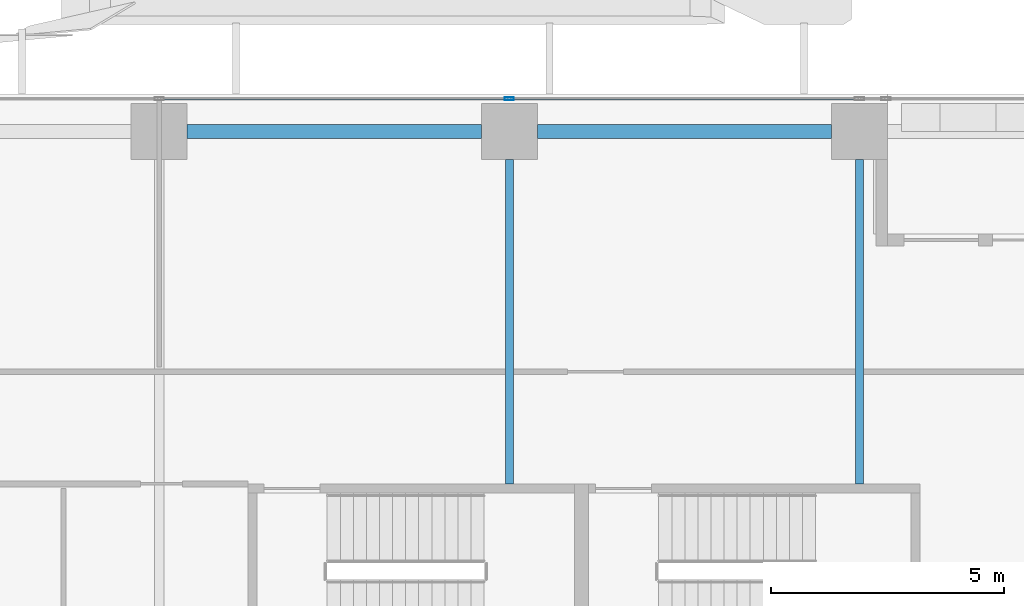
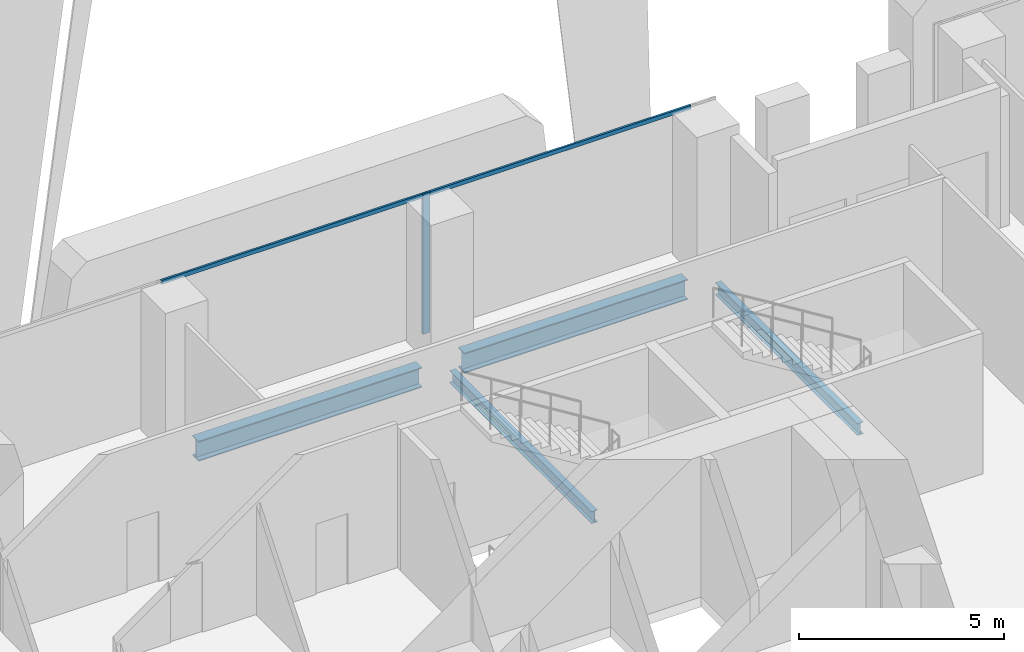
# One storey, part 15 of 36: 4 beams, 3 members, 1 element without a shape of its own.
"""IFC4 building model written with IfcOpenShell, lengths in metres."""

import ifcopenshell
import ifcopenshell.guid

model = None  # the IFC model being written
_history = None  # IfcOwnerHistory: only IFC2X3 demands one
_inside = {}  # id of a spatial element -> (the spatial element, [elements in it])
_under = {}  # id of a project, library or spatial element -> (it, [spatial elements below it])
_declared = {}  # id of a project -> (the project, [libraries it declares])
_typed = {}  # id of a type object -> (the type object, [elements of that type])
_made_of = {}  # id of a material, layer set ... -> (it, [elements and type objects made of it])


def new_model(schema):
    """Start an empty IFC model of exactly this schema.

    Asked for "IFC4X3", IfcOpenShell would pick the latest addendum, in which some entities
    have other attributes; the version numbers below select the first issue.
    IFC2X3 requires an IfcOwnerHistory on every rooted entity: one is made here for all.
    """
    global model, _history
    if schema == "IFC4X3":
        model = ifcopenshell.file(schema_version=(4, 3, 0, 0))
    else:
        model = ifcopenshell.file(schema=schema)
    _inside.clear()
    _under.clear()
    _declared.clear()
    _typed.clear()
    _made_of.clear()
    _history = None
    if model.schema == "IFC2X3":
        org = make("IfcOrganization", Name="unknown")
        user = make(
            "IfcPersonAndOrganization",
            ThePerson=make("IfcPerson", FamilyName="unknown"),
            TheOrganization=org,
        )
        app = make(
            "IfcApplication",
            ApplicationDeveloper=org,
            Version="unknown",
            ApplicationFullName="unknown",
            ApplicationIdentifier="unknown",
        )
        _history = make(
            "IfcOwnerHistory",
            OwningUser=user,
            OwningApplication=app,
            ChangeAction="ADDED",
            CreationDate=0,
        )
    return model


def make(cls, **values):
    """One entity of the class cls with the attributes given. An attribute that is None is left unset."""
    return model.create_entity(
        cls, **{name: value for name, value in values.items() if value is not None}
    )


def rooted(cls, **values):
    """An entity with a GlobalId (a new one), such as an element, a storey or a relation."""
    return make(cls, GlobalId=ifcopenshell.guid.new(), OwnerHistory=_history, **values)


def si_unit(unit_type, name, prefix=None):
    """IfcSIUnit, for example si_unit("LENGTHUNIT", "METRE", prefix="MILLI")."""
    return make("IfcSIUnit", UnitType=unit_type, Prefix=prefix, Name=name)


def assignment(units):
    """IfcUnitAssignment: the units of a project."""
    return None if units is None else make("IfcUnitAssignment", Units=units)


def point(xyz):
    """IfcCartesianPoint."""
    return None if xyz is None else make("IfcCartesianPoint", Coordinates=xyz)


def direction(xyz):
    """IfcDirection."""
    return None if xyz is None else make("IfcDirection", DirectionRatios=xyz)


def frame(location, z_axis=None, x_axis=None):
    """IfcAxis2Placement3D, a coordinate frame: its origin and axes. An axis left out is left unset."""
    return make(
        "IfcAxis2Placement3D",
        Location=point(location),
        Axis=direction(z_axis),
        RefDirection=direction(x_axis),
    )


def frame_2d(location, x_axis=None):
    """IfcAxis2Placement2D, a coordinate frame in the plane: its origin and x axis."""
    return make(
        "IfcAxis2Placement2D", Location=point(location), RefDirection=direction(x_axis)
    )


def origin():
    """The frame at (0, 0, 0) with its axes left unset."""
    return frame((0.0, 0.0, 0.0))


def origin_2d():
    """The frame at (0, 0) in the plane with its x axis left unset."""
    return frame_2d((0.0, 0.0))


def place(relative_to, where):
    """IfcLocalPlacement: puts the frame where relative to a parent placement (None: the world)."""
    return make(
        "IfcLocalPlacement", PlacementRelTo=relative_to, RelativePlacement=where
    )


def context(
    kind, dimensions, precision=None, world=None, true_north=None, identifier=None
):
    """IfcGeometricRepresentationContext, for example the 3D "Model" context."""
    return make(
        "IfcGeometricRepresentationContext",
        ContextIdentifier=identifier,
        ContextType=kind,
        CoordinateSpaceDimension=dimensions,
        Precision=precision,
        WorldCoordinateSystem=world,
        TrueNorth=true_north,
    )


def subcontext(parent, identifier, kind, view, scale=None):
    """IfcGeometricRepresentationSubContext, for example "Body" below "Model"."""
    return make(
        "IfcGeometricRepresentationSubContext",
        ContextIdentifier=identifier,
        ContextType=kind,
        ParentContext=parent,
        TargetScale=scale,
        TargetView=view,
    )


def project(units=None, contexts=None):
    """IfcProject with its units and contexts."""
    return rooted(
        "IfcProject",
        Name="project",
        RepresentationContexts=contexts,
        UnitsInContext=assignment(units),
    )


def spatial(cls, under=None, at=None, **own):
    """A site, building, storey or space (cls), placed at a placement, below another one or the project."""
    s = rooted(cls, ObjectPlacement=at, **own)
    if under is not None:
        _under.setdefault(under.id(), (under, []))[1].append(s)
    return s


def profile(cls, at=None, kind="AREA", **sizes):
    """A parametric profile (cls). Its sizes go by their IFC names, for example OverallWidth=200.0."""
    return make(cls, ProfileType=kind, Position=at, **sizes)


def hollow_rectangle(**sizes):
    """IfcRectangleHollowProfileDef."""
    return profile("IfcRectangleHollowProfileDef", **sizes)


def i_section(**sizes):
    """IfcIShapeProfileDef."""
    return profile("IfcIShapeProfileDef", **sizes)


def extrude(swept, where, along, depth):
    """IfcExtrudedAreaSolid: the profile swept, set in the frame where, extruded along a direction by depth."""
    return make(
        "IfcExtrudedAreaSolid",
        SweptArea=swept,
        Position=where,
        ExtrudedDirection=direction(along),
        Depth=depth,
    )


def shape(context_of_items, identifier, shape_type, items):
    """IfcShapeRepresentation: the items that make up one representation, for example the "Body"."""
    return make(
        "IfcShapeRepresentation",
        ContextOfItems=context_of_items,
        RepresentationIdentifier=identifier,
        RepresentationType=shape_type,
        Items=items,
    )


def source(mapping_origin, context_of_items, identifier, shape_type, items):
    """IfcRepresentationMap: a shape defined once, which mapped items show again and again."""
    return make(
        "IfcRepresentationMap",
        MappingOrigin=mapping_origin,
        MappedRepresentation=shape(context_of_items, identifier, shape_type, items),
    )


def transform(
    local_origin,
    x_axis=None,
    y_axis=None,
    z_axis=None,
    scale=None,
    scale2=None,
    scale3=None,
    uniform=True,
):
    """IfcCartesianTransformationOperator3D, or its non-uniform kind. x_axis, y_axis, z_axis: its Axis1, 2, 3."""
    if uniform:
        return make(
            "IfcCartesianTransformationOperator3D",
            Axis1=direction(x_axis),
            Axis2=direction(y_axis),
            LocalOrigin=point(local_origin),
            Scale=scale,
            Axis3=direction(z_axis),
        )
    return make(
        "IfcCartesianTransformationOperator3DnonUniform",
        Axis1=direction(x_axis),
        Axis2=direction(y_axis),
        LocalOrigin=point(local_origin),
        Scale=scale,
        Axis3=direction(z_axis),
        Scale2=scale2,
        Scale3=scale3,
    )


def mapped(mapping_source, mapping_target):
    """IfcMappedItem: shows the shape of a source again, moved by a transform."""
    return make(
        "IfcMappedItem", MappingSource=mapping_source, MappingTarget=mapping_target
    )


def material(Name=None, Category=None):
    """IfcMaterial."""
    return make("IfcMaterial", Name=Name, Category=Category)


def material_profile(
    of_material, cross_section, Name=None, Category=None, Priority=None
):
    """IfcMaterialProfile: a cross section and its material."""
    return make(
        "IfcMaterialProfile",
        Name=Name,
        Material=of_material,
        Profile=cross_section,
        Priority=Priority,
        Category=Category,
    )


def profile_set(profiles, Name=None, composite=None):
    """IfcMaterialProfileSet."""
    return make(
        "IfcMaterialProfileSet",
        Name=Name,
        MaterialProfiles=profiles,
        CompositeProfile=composite,
    )


def made_of(thing, what):
    """Note that an element or type object is made of a material, layer set ...; save() writes the relation."""
    if what is not None:
        _made_of.setdefault(what.id(), (what, []))[1].append(thing)
    return thing


def type_object(cls, material=None, **own):
    """A type object (cls), such as IfcWallType, which elements share."""
    return made_of(rooted(cls, **own), material)


def element(
    cls,
    number,
    at=None,
    inside=None,
    cuts=None,
    type_object=None,
    material=None,
    context=None,
    identifier="Body",
    shape_type=None,
    held_by="IfcProductDefinitionShape",
    body=None,
    shapes=None,
    **own,
):
    """One element of the class cls, such as IfcWall. Its Tag is "e" and its number.

    at: its placement. inside: the storey or other place that contains it. cuts: it is an
    opening in that element (IfcRelVoidsElement). A single representation is given by context,
    identifier, shape_type and body (its items); several are given by shapes. held_by: the class
    of the entity that holds the representations. save() writes the other relations.
    """
    e = rooted(cls, Tag="e%d" % number, ObjectPlacement=at, **own)
    if body is not None:
        shapes = [shape(context, identifier, shape_type, body)]
    if shapes is not None:
        e.Representation = make(held_by, Representations=shapes)
    if inside is not None:
        _inside.setdefault(inside.id(), (inside, []))[1].append(e)
    if cuts is not None:
        rooted(
            "IfcRelVoidsElement", RelatingBuildingElement=cuts, RelatedOpeningElement=e
        )
    if type_object is not None:
        _typed.setdefault(type_object.id(), (type_object, []))[1].append(e)
    return made_of(e, material)


def aggregate(whole, parts):
    """IfcRelAggregates: a whole, such as a stair, and the parts it consists of."""
    return rooted("IfcRelAggregates", RelatingObject=whole, RelatedObjects=parts)


def save(model, path):
    """Write the relations noted so far, then the file.

    IfcRelAggregates (storeys below a building ...), IfcRelContainedInSpatialStructure (elements
    in a storey), IfcRelDefinesByType, IfcRelAssociatesMaterial and IfcRelDeclares: one each for
    every whole, place, type object, material and project.
    """
    for whole, parts in _under.values():
        aggregate(whole, parts)
    for where, things in _inside.values():
        rooted(
            "IfcRelContainedInSpatialStructure",
            RelatedElements=things,
            RelatingStructure=where,
        )
    for kind, things in _typed.values():
        rooted("IfcRelDefinesByType", RelatedObjects=things, RelatingType=kind)
    for what, things in _made_of.values():
        rooted("IfcRelAssociatesMaterial", RelatedObjects=things, RelatingMaterial=what)
    for by, libraries in _declared.values():
        rooted("IfcRelDeclares", RelatingContext=by, RelatedDefinitions=libraries)
    model.write(path)


model = new_model("IFC4")

# Units and contexts
model_context = context("Model", 3, precision=1e-05, world=origin(), true_north=direction((0.0, 1.0)))
body_context = subcontext(model_context, "Body", "Model", "MODEL_VIEW")
ifc_project = project(units=[si_unit("LENGTHUNIT", "METRE"), si_unit("AREAUNIT", "SQUARE_METRE"), si_unit("VOLUMEUNIT", "CUBIC_METRE"), si_unit("PLANEANGLEUNIT", "RADIAN"), si_unit("MASSUNIT", "GRAM", prefix="KILO")], contexts=[model_context])

# Site, building, storey
site_placement = place(None, origin())
site = spatial("IfcSite", under=ifc_project, at=site_placement, CompositionType="ELEMENT")
building_placement = place(site_placement, origin())
building = spatial("IfcBuilding", under=site, at=building_placement, Name="Khomas Fold Tower", CompositionType="ELEMENT")
storey_placement = place(building_placement, frame((0.0, 0.0, 46.5)))
storey = spatial("IfcBuildingStorey", under=building, at=storey_placement, Name="L09", CompositionType="ELEMENT", Elevation=46.5)

# Beams
ifc_material_1 = material(Name="Steel S355", Category="steel")
ifc_material_profile_1 = material_profile(ifc_material_1, i_section(OverallWidth=0.169921875, OverallDepth=0.360107421875, WebThickness=0.008056640625, FlangeThickness=0.0126953125, at=origin_2d()), Name="IPE 360")
ifc_profile_set_1 = profile_set([ifc_material_profile_1], Name="Steel S355")
beam_type_1 = type_object("IfcBeamType", Name="IPE 360 beam JB2", PredefinedType="BEAM", material=ifc_profile_set_1)
shared_shape_1 = source(origin(), body_context, "Body", "SweptSolid", [
    extrude(i_section(OverallWidth=0.169921875, OverallDepth=0.360107421875, WebThickness=0.008056640625, FlangeThickness=0.0126953125, at=origin_2d()), origin(), (0.0, 0.0, 1.0), 6.9501953125),
])
for number, where, z_axis, x_axis, name in (
    (1, (19.5, 45.64990234375, -0.47998046875), (0.0, 1.0, 0.0), (-1.0, 0.0, 0.0), "JB2"),
    (2, (27.0, 45.64990234375, -0.47998046875), (0.0, 1.0, 0.0), (-1.0, 0.0, 0.0), "JB2"),
):
    element("IfcBeam", number, at=place(storey_placement, frame(where, z_axis=z_axis, x_axis=x_axis)), inside=storey, type_object=beam_type_1, Name=name, PredefinedType="BEAM", context=body_context, shape_type="MappedRepresentation", body=[
        mapped(shared_shape_1, transform((0.0, 0.0, 0.0))),
    ])
ifc_material_2 = material(Name="Steel S355", Category="steel")
ifc_material_profile_2 = material_profile(ifc_material_2, i_section(OverallWidth=0.300048828125, OverallDepth=0.60009765625, WebThickness=0.015380859375, FlangeThickness=0.030029296875, at=origin_2d()), Name="HE 600 B")
ifc_profile_set_2 = profile_set([ifc_material_profile_2], Name="Steel S355")
beam_type_2 = type_object("IfcBeamType", Name="HE 600 B spandrel SB1", PredefinedType="SPANDREL", material=ifc_profile_set_2)
shared_shape_2 = source(origin(), body_context, "Body", "SweptSolid", [
    extrude(i_section(OverallWidth=0.300048828125, OverallDepth=0.60009765625, WebThickness=0.015380859375, FlangeThickness=0.030029296875, at=origin_2d()), origin(), (0.0, 0.0, 1.0), 6.2998046875),
])
for number, where, z_axis, x_axis, name in (
    (3, (20.10009765625, 53.199951171875, -0.60009765625), (1.0, 0.0, 0.0), (0.0, 1.0, 0.0), "SB1"),
    (4, (12.60009765625, 53.199951171875, -0.60009765625), (1.0, 0.0, 0.0), (0.0, 1.0, 0.0), "SB1"),
):
    element("IfcBeam", number, at=place(storey_placement, frame(where, z_axis=z_axis, x_axis=x_axis)), inside=storey, type_object=beam_type_2, Name=name, PredefinedType="SPANDREL", context=body_context, shape_type="MappedRepresentation", body=[
        mapped(shared_shape_2, transform((0.0, 0.0, 0.0))),
    ])

# Curtain wall, members
ifc_material_3 = material(Name="Aluminium framed double glazing", Category="aluminium")
curtain_wall_type = type_object("IfcCurtainWallType", Name="SK-Unitised clear-glass wall, growing floors CW1", PredefinedType="NOTDEFINED", material=ifc_material_3)
curtain_wall_placement = place(storey_placement, origin())
curtain_wall = element("IfcCurtainWall", 5, at=curtain_wall_placement, inside=storey, type_object=curtain_wall_type, Name="CW1 run L09 06-1", PredefinedType="NOTDEFINED")
ifc_material_4 = material(Name="Aluminium", Category="aluminium")
ifc_material_profile_3 = material_profile(ifc_material_4, hollow_rectangle(XDim=0.06005859375, YDim=0.1201171875, WallThickness=0.00390625, at=origin_2d()), Name="SK-Unitised clear-glass wall, growing floors transom CW1-T")
ifc_profile_set_3 = profile_set([ifc_material_profile_3], Name="Aluminium")
member_type_1 = type_object("IfcMemberType", Name="SK-Unitised clear-glass wall, growing floors transom CW1-T", PredefinedType="USERDEFINED", material=ifc_profile_set_3)
shared_shape_3 = source(origin(), body_context, "Body", "SweptSolid", [
    extrude(hollow_rectangle(XDim=0.06005859375, YDim=0.1201171875, WallThickness=0.00390625, at=origin_2d()), origin(), (0.0, 0.0, 1.0), 7.43994140625),
])
member_1_placement = place(storey_placement, frame((26.969970703125, 53.89990234375, 4.139892578125), z_axis=(-1.0, 0.0, 0.0), x_axis=(0.0, -1.0, 0.0)))
member_1 = element("IfcMember", 6, at=member_1_placement, type_object=member_type_1, Name="CW1 transom 2", ObjectType="TRANSOM", PredefinedType="USERDEFINED", context=body_context, shape_type="MappedRepresentation", body=[
    mapped(shared_shape_3, transform((0.0, 0.0, 0.0))),
])
member_2_placement = place(storey_placement, frame((19.469970703125, 53.89990234375, 4.139892578125), z_axis=(-1.0, 0.0, 0.0), x_axis=(0.0, -1.0, 0.0)))
member_2 = element("IfcMember", 7, at=member_2_placement, type_object=member_type_1, Name="CW1 transom 3", ObjectType="TRANSOM", PredefinedType="USERDEFINED", context=body_context, shape_type="MappedRepresentation", body=[
    mapped(shared_shape_3, transform((0.0, 0.0, 0.0))),
])
ifc_material_5 = material(Name="Aluminium", Category="aluminium")
ifc_material_profile_4 = material_profile(ifc_material_5, hollow_rectangle(XDim=0.06005859375, YDim=0.199951171875, WallThickness=0.00390625, at=origin_2d()), Name="SK-Unitised clear-glass wall, growing floors mullion CW1-M")
ifc_profile_set_4 = profile_set([ifc_material_profile_4], Name="Aluminium")
member_type_2 = type_object("IfcMemberType", Name="SK-Unitised clear-glass wall, growing floors mullion CW1-M", PredefinedType="MULLION", material=ifc_profile_set_4)
shared_shape_4 = source(origin(), body_context, "Body", "SweptSolid", [
    extrude(hollow_rectangle(XDim=0.06005859375, YDim=0.199951171875, WallThickness=0.00390625, at=origin_2d()), origin(), (0.0, 0.0, 1.0), 4.199951171875),
])
member_3_placement = place(storey_placement, frame((19.5, 53.89990234375, 0.0), z_axis=(0.0, 0.0, 1.0), x_axis=(0.0, -1.0, 0.0)))
member_3 = element("IfcMember", 8, at=member_3_placement, type_object=member_type_2, Name="CW1 mullion 3", PredefinedType="MULLION", context=body_context, shape_type="MappedRepresentation", body=[
    mapped(shared_shape_4, transform((0.0, 0.0, 0.0))),
])
aggregate(curtain_wall, [member_3, member_1, member_2])

save(model, "model.ifc")
